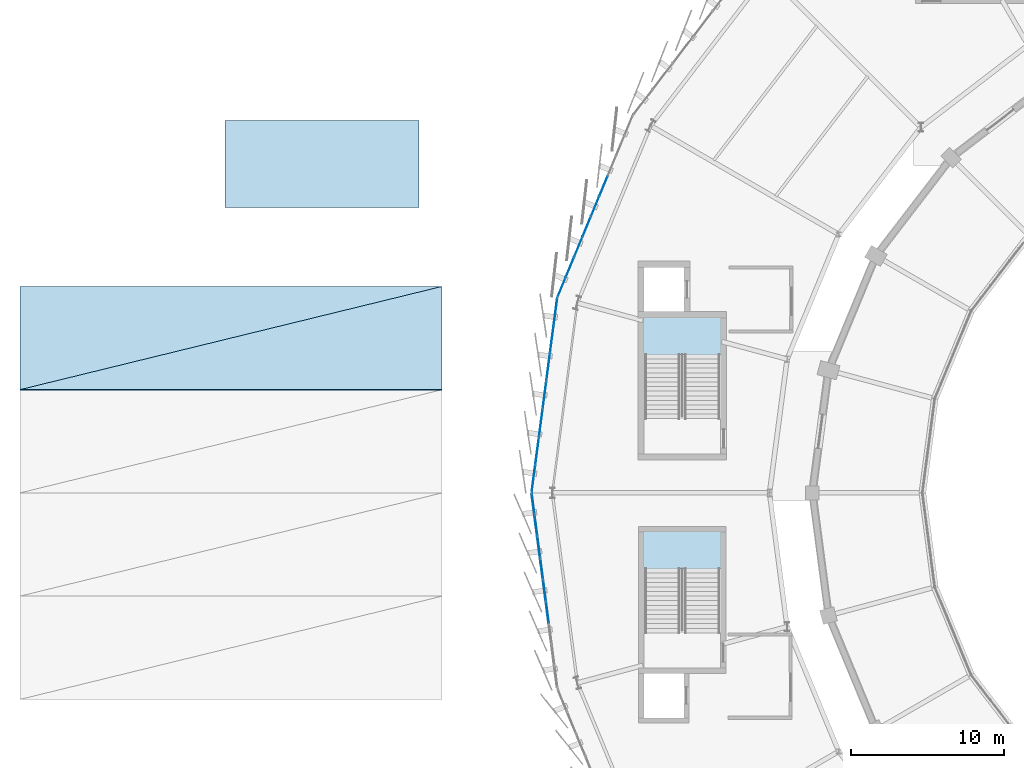
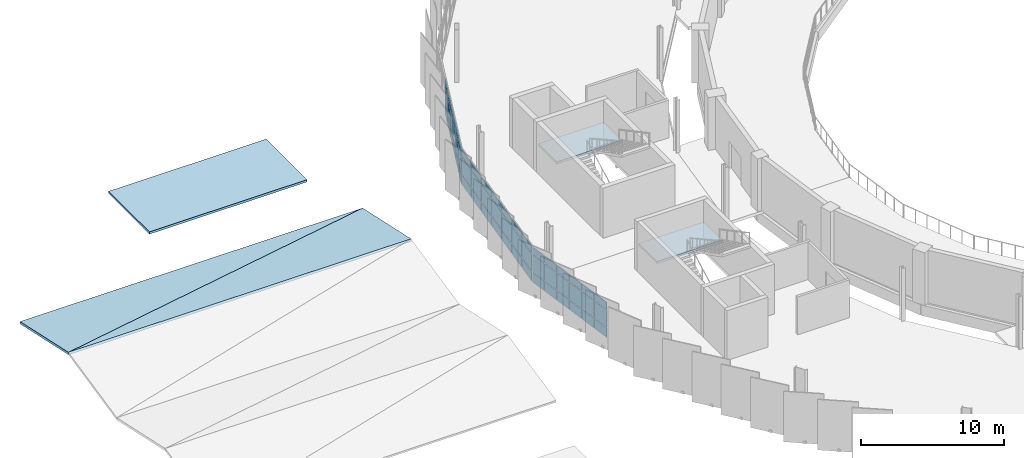
# One storey, part 64 of 87: 57 plates, 5 slabs, 5 elements without a shape of their own.
"""IFC4 building model written with IfcOpenShell, lengths in metres."""

from ifc_helpers import new_model, si_unit, direction, frame, origin, origin_2d, place, context, subcontext, project, spatial, polyline, rectangle, outline, extrude, material, layer, layer_set, type_object, element, aggregate, save


model = new_model("IFC4")

# Units and contexts
model_context = context("Model", 3, precision=1e-05, world=origin(), true_north=direction((0.0, 1.0)))
body_context = subcontext(model_context, "Body", "Model", "MODEL_VIEW")
ifc_project = project(units=[si_unit("LENGTHUNIT", "METRE"), si_unit("AREAUNIT", "SQUARE_METRE"), si_unit("VOLUMEUNIT", "CUBIC_METRE"), si_unit("PLANEANGLEUNIT", "RADIAN"), si_unit("MASSUNIT", "GRAM", prefix="KILO")], contexts=[model_context])

# Site, building, storey
site_placement = place(None, origin())
site = spatial("IfcSite", under=ifc_project, at=site_placement, CompositionType="ELEMENT")
building_placement = place(site_placement, origin())
building = spatial("IfcBuilding", under=site, at=building_placement, Name="Sohan Crest Arena", CompositionType="ELEMENT")
storey_placement = place(building_placement, frame((0.0, 0.0, 18.0)))
storey = spatial("IfcBuildingStorey", under=building, at=storey_placement, Name="L04", CompositionType="ELEMENT", Elevation=18.0)

# Curtain wall, plates
ifc_material_1 = material(Name="Thermally broken anodised aluminium", Category="aluminium")
ifc_layer_1 = layer(ifc_material_1, 0.18994140625, Name="Thermally broken anodised aluminium")
ifc_layer_set_1 = layer_set([ifc_layer_1], Name="Thermally broken anodised aluminium")
curtain_wall_type_1 = type_object("IfcCurtainWallType", Name="ARC-CW05", PredefinedType="NOTDEFINED", material=ifc_layer_set_1)
curtain_wall_1_placement = place(storey_placement, origin())
curtain_wall_1 = element("IfcCurtainWall", 1, at=curtain_wall_1_placement, inside=storey, type_object=curtain_wall_type_1, Name="Unitised curtain wall CW-116", PredefinedType="NOTDEFINED")
ifc_material_2 = material(Name="Low-E double-glazed insulated glass", Category="glass")
ifc_layer_2 = layer(ifc_material_2, 0.028076171875, Name="Low-E double-glazed insulated glass")
ifc_layer_set_2 = layer_set([ifc_layer_2], Name="Low-E double-glazed insulated glass")
plate_type_1 = type_object("IfcPlateType", Name="ARC-CNP01", PredefinedType="CURTAIN_PANEL", material=ifc_layer_set_2)
plate_1_placement = place(storey_placement, frame((53.3447265625, 98.04638671875, 0.06494140625), z_axis=(0.0, 0.0, 1.0), x_axis=(-0.382685432009, -0.923878704229, 0.0)))
plate_1 = element("IfcPlate", 2, at=plate_1_placement, type_object=plate_type_1, Name="CW-116 panel 4.1", PredefinedType="CURTAIN_PANEL", context=body_context, shape_type="SweptSolid", body=[
    extrude(rectangle(XDim=1.371337890625, YDim=0.028076171875, at=origin_2d()), origin(), (0.0, 0.0, 1.0), 0.802490234375),
])
plate_2_placement = place(storey_placement, frame((53.3447265625, 98.04638671875, 0.932373046875), z_axis=(0.0, 0.0, 1.0), x_axis=(-0.382685432009, -0.923878704229, 0.0)))
plate_2 = element("IfcPlate", 3, at=plate_2_placement, type_object=plate_type_1, Name="CW-116 panel 4.2", PredefinedType="CURTAIN_PANEL", context=body_context, shape_type="SweptSolid", body=[
    extrude(rectangle(XDim=1.371337890625, YDim=0.028076171875, at=origin_2d()), origin(), (0.0, 0.0, 1.0), 1.455078125),
])
plate_3_placement = place(storey_placement, frame((53.3447265625, 98.04638671875, 2.452392578125), z_axis=(0.0, 0.0, 1.0), x_axis=(-0.382685432009, -0.923878704229, 0.0)))
plate_3 = element("IfcPlate", 4, at=plate_3_placement, type_object=plate_type_1, Name="CW-116 panel 4.3", PredefinedType="CURTAIN_PANEL", context=body_context, shape_type="SweptSolid", body=[
    extrude(rectangle(XDim=1.371337890625, YDim=0.028076171875, at=origin_2d()), origin(), (0.0, 0.0, 1.0), 0.6025390625),
])
plate_4_placement = place(storey_placement, frame((52.797119140625, 96.72412109375, 0.06494140625), z_axis=(0.0, 0.0, 1.0), x_axis=(-0.382685432009, -0.923878704229, 0.0)))
plate_4 = element("IfcPlate", 5, at=plate_4_placement, type_object=plate_type_1, Name="CW-116 panel 5.1", PredefinedType="CURTAIN_PANEL", context=body_context, shape_type="SweptSolid", body=[
    extrude(rectangle(XDim=1.371337890625, YDim=0.028076171875, at=origin_2d()), origin(), (0.0, 0.0, 1.0), 0.802490234375),
])
plate_5_placement = place(storey_placement, frame((52.797119140625, 96.72412109375, 0.932373046875), z_axis=(0.0, 0.0, 1.0), x_axis=(-0.382685432009, -0.923878704229, 0.0)))
plate_5 = element("IfcPlate", 6, at=plate_5_placement, type_object=plate_type_1, Name="CW-116 panel 5.2", PredefinedType="CURTAIN_PANEL", context=body_context, shape_type="SweptSolid", body=[
    extrude(rectangle(XDim=1.371337890625, YDim=0.028076171875, at=origin_2d()), origin(), (0.0, 0.0, 1.0), 1.455078125),
])
plate_6_placement = place(storey_placement, frame((52.797119140625, 96.72412109375, 2.452392578125), z_axis=(0.0, 0.0, 1.0), x_axis=(-0.382685432009, -0.923878704229, 0.0)))
plate_6 = element("IfcPlate", 7, at=plate_6_placement, type_object=plate_type_1, Name="CW-116 panel 5.3", PredefinedType="CURTAIN_PANEL", context=body_context, shape_type="SweptSolid", body=[
    extrude(rectangle(XDim=1.371337890625, YDim=0.028076171875, at=origin_2d()), origin(), (0.0, 0.0, 1.0), 0.6025390625),
])
plate_7_placement = place(storey_placement, frame((52.249267578125, 95.401611328125, 0.06494140625), z_axis=(0.0, 0.0, 1.0), x_axis=(-0.382685432009, -0.923878704229, 0.0)))
plate_7 = element("IfcPlate", 8, at=plate_7_placement, type_object=plate_type_1, Name="CW-116 panel 6.1", PredefinedType="CURTAIN_PANEL", context=body_context, shape_type="SweptSolid", body=[
    extrude(rectangle(XDim=1.371337890625, YDim=0.028076171875, at=origin_2d()), origin(), (0.0, 0.0, 1.0), 0.802490234375),
])
plate_8_placement = place(storey_placement, frame((52.249267578125, 95.401611328125, 0.932373046875), z_axis=(0.0, 0.0, 1.0), x_axis=(-0.382685432009, -0.923878704229, 0.0)))
plate_8 = element("IfcPlate", 9, at=plate_8_placement, type_object=plate_type_1, Name="CW-116 panel 6.2", PredefinedType="CURTAIN_PANEL", context=body_context, shape_type="SweptSolid", body=[
    extrude(rectangle(XDim=1.371337890625, YDim=0.028076171875, at=origin_2d()), origin(), (0.0, 0.0, 1.0), 1.455078125),
])
plate_9_placement = place(storey_placement, frame((52.249267578125, 95.401611328125, 2.452392578125), z_axis=(0.0, 0.0, 1.0), x_axis=(-0.382685432009, -0.923878704229, 0.0)))
plate_9 = element("IfcPlate", 10, at=plate_9_placement, type_object=plate_type_1, Name="CW-116 panel 6.3", PredefinedType="CURTAIN_PANEL", context=body_context, shape_type="SweptSolid", body=[
    extrude(rectangle(XDim=1.371337890625, YDim=0.028076171875, at=origin_2d()), origin(), (0.0, 0.0, 1.0), 0.6025390625),
])
plate_10_placement = place(storey_placement, frame((51.701416015625, 94.0791015625, 0.06494140625), z_axis=(0.0, 0.0, 1.0), x_axis=(-0.382685432009, -0.923878704229, 0.0)))
plate_10 = element("IfcPlate", 11, at=plate_10_placement, type_object=plate_type_1, Name="CW-116 panel 7.1", PredefinedType="CURTAIN_PANEL", context=body_context, shape_type="SweptSolid", body=[
    extrude(rectangle(XDim=1.371337890625, YDim=0.028076171875, at=origin_2d()), origin(), (0.0, 0.0, 1.0), 0.802490234375),
])
plate_11_placement = place(storey_placement, frame((51.701416015625, 94.0791015625, 0.932373046875), z_axis=(0.0, 0.0, 1.0), x_axis=(-0.382685432009, -0.923878704229, 0.0)))
plate_11 = element("IfcPlate", 12, at=plate_11_placement, type_object=plate_type_1, Name="CW-116 panel 7.2", PredefinedType="CURTAIN_PANEL", context=body_context, shape_type="SweptSolid", body=[
    extrude(rectangle(XDim=1.371337890625, YDim=0.028076171875, at=origin_2d()), origin(), (0.0, 0.0, 1.0), 1.455078125),
])
plate_12_placement = place(storey_placement, frame((51.701416015625, 94.0791015625, 2.452392578125), z_axis=(0.0, 0.0, 1.0), x_axis=(-0.382685432009, -0.923878704229, 0.0)))
plate_12 = element("IfcPlate", 13, at=plate_12_placement, type_object=plate_type_1, Name="CW-116 panel 7.3", PredefinedType="CURTAIN_PANEL", context=body_context, shape_type="SweptSolid", body=[
    extrude(rectangle(XDim=1.371337890625, YDim=0.028076171875, at=origin_2d()), origin(), (0.0, 0.0, 1.0), 0.6025390625),
])
plate_13_placement = place(storey_placement, frame((51.153564453125, 92.756591796875, 0.06494140625), z_axis=(0.0, 0.0, 1.0), x_axis=(-0.382685432009, -0.923878704229, 0.0)))
plate_13 = element("IfcPlate", 14, at=plate_13_placement, type_object=plate_type_1, Name="CW-116 panel 8.1", PredefinedType="CURTAIN_PANEL", context=body_context, shape_type="SweptSolid", body=[
    extrude(rectangle(XDim=1.371337890625, YDim=0.028076171875, at=origin_2d()), origin(), (0.0, 0.0, 1.0), 0.802490234375),
])
plate_14_placement = place(storey_placement, frame((51.153564453125, 92.756591796875, 0.932373046875), z_axis=(0.0, 0.0, 1.0), x_axis=(-0.382685432009, -0.923878704229, 0.0)))
plate_14 = element("IfcPlate", 15, at=plate_14_placement, type_object=plate_type_1, Name="CW-116 panel 8.2", PredefinedType="CURTAIN_PANEL", context=body_context, shape_type="SweptSolid", body=[
    extrude(rectangle(XDim=1.371337890625, YDim=0.028076171875, at=origin_2d()), origin(), (0.0, 0.0, 1.0), 1.455078125),
])
plate_15_placement = place(storey_placement, frame((51.153564453125, 92.756591796875, 2.452392578125), z_axis=(0.0, 0.0, 1.0), x_axis=(-0.382685432009, -0.923878704229, 0.0)))
plate_15 = element("IfcPlate", 16, at=plate_15_placement, type_object=plate_type_1, Name="CW-116 panel 8.3", PredefinedType="CURTAIN_PANEL", context=body_context, shape_type="SweptSolid", body=[
    extrude(rectangle(XDim=1.371337890625, YDim=0.028076171875, at=origin_2d()), origin(), (0.0, 0.0, 1.0), 0.6025390625),
])
plate_16_placement = place(storey_placement, frame((50.611572265625, 91.447998046875, 0.06494140625), z_axis=(0.0, 0.0, 1.0), x_axis=(-0.382685432009, -0.923878704229, 0.0)))
plate_16 = element("IfcPlate", 17, at=plate_16_placement, type_object=plate_type_1, Name="CW-116 panel 9.1", PredefinedType="CURTAIN_PANEL", context=body_context, shape_type="SweptSolid", body=[
    extrude(rectangle(XDim=1.34130859375, YDim=0.028076171875, at=origin_2d()), origin(), (0.0, 0.0, 1.0), 0.802490234375),
])
plate_17_placement = place(storey_placement, frame((50.611572265625, 91.447998046875, 0.932373046875), z_axis=(0.0, 0.0, 1.0), x_axis=(-0.382685432009, -0.923878704229, 0.0)))
plate_17 = element("IfcPlate", 18, at=plate_17_placement, type_object=plate_type_1, Name="CW-116 panel 9.2", PredefinedType="CURTAIN_PANEL", context=body_context, shape_type="SweptSolid", body=[
    extrude(rectangle(XDim=1.34130859375, YDim=0.028076171875, at=origin_2d()), origin(), (0.0, 0.0, 1.0), 1.455078125),
])
plate_18_placement = place(storey_placement, frame((50.611572265625, 91.447998046875, 2.452392578125), z_axis=(0.0, 0.0, 1.0), x_axis=(-0.382685432009, -0.923878704229, 0.0)))
plate_18 = element("IfcPlate", 19, at=plate_18_placement, type_object=plate_type_1, Name="CW-116 panel 9.3", PredefinedType="CURTAIN_PANEL", context=body_context, shape_type="SweptSolid", body=[
    extrude(rectangle(XDim=1.34130859375, YDim=0.028076171875, at=origin_2d()), origin(), (0.0, 0.0, 1.0), 0.6025390625),
])
aggregate(curtain_wall_1, [plate_1, plate_2, plate_3, plate_4, plate_5, plate_6, plate_7, plate_8, plate_9, plate_10, plate_11, plate_12, plate_13, plate_14, plate_15, plate_16, plate_17, plate_18])

ifc_layer_3 = layer(ifc_material_1, 0.2099609375, Name="Thermally broken anodised aluminium")
ifc_layer_set_3 = layer_set([ifc_layer_3], Name="Thermally broken anodised aluminium")
curtain_wall_type_2 = type_object("IfcCurtainWallType", Name="ARC-CW06", PredefinedType="NOTDEFINED", material=ifc_layer_set_3)
curtain_wall_2_placement = place(storey_placement, origin())
curtain_wall_2 = element("IfcCurtainWall", 20, at=curtain_wall_2_placement, inside=storey, type_object=curtain_wall_type_2, Name="Unitised curtain wall CW-117", PredefinedType="NOTDEFINED")
ifc_layer_4 = layer(ifc_material_2, 0.031982421875, Name="Low-E double-glazed insulated glass")
ifc_layer_set_4 = layer_set([ifc_layer_4], Name="Low-E double-glazed insulated glass")
plate_type_2 = type_object("IfcPlateType", Name="ARC-CNP02", PredefinedType="CURTAIN_PANEL", material=ifc_layer_set_4)
plate_19_placement = place(storey_placement, frame((50.209716796875, 89.844482421875, 0.070068359375), z_axis=(0.0, 0.0, 1.0), x_axis=(-0.130556913275, -0.991440816386, 0.0)))
plate_19 = element("IfcPlate", 21, at=plate_19_placement, type_object=plate_type_2, Name="CW-117 panel 1.1", PredefinedType="CURTAIN_PANEL", context=body_context, shape_type="SweptSolid", body=[
    extrude(rectangle(XDim=1.742919921875, YDim=0.031982421875, at=origin_2d()), origin(), (0.0, 0.0, 1.0), 0.794921875),
])
plate_20_placement = place(storey_placement, frame((50.209716796875, 89.844482421875, 0.93505859375), z_axis=(0.0, 0.0, 1.0), x_axis=(-0.130556913275, -0.991440816386, 0.0)))
plate_20 = element("IfcPlate", 22, at=plate_20_placement, type_object=plate_type_2, Name="CW-117 panel 1.2", PredefinedType="CURTAIN_PANEL", context=body_context, shape_type="SweptSolid", body=[
    extrude(rectangle(XDim=1.742919921875, YDim=0.031982421875, at=origin_2d()), origin(), (0.0, 0.0, 1.0), 1.449951171875),
])
plate_21_placement = place(storey_placement, frame((50.209716796875, 89.844482421875, 2.455078125), z_axis=(0.0, 0.0, 1.0), x_axis=(-0.130556913275, -0.991440816386, 0.0)))
plate_21 = element("IfcPlate", 23, at=plate_21_placement, type_object=plate_type_2, Name="CW-117 panel 1.3", PredefinedType="CURTAIN_PANEL", context=body_context, shape_type="SweptSolid", body=[
    extrude(rectangle(XDim=1.742919921875, YDim=0.031982421875, at=origin_2d()), origin(), (0.0, 0.0, 1.0), 0.594970703125),
])
plate_22_placement = place(storey_placement, frame((49.9716796875, 88.035888671875, 0.070068359375), z_axis=(0.0, 0.0, 1.0), x_axis=(-0.130556913275, -0.991440816386, 0.0)))
plate_22 = element("IfcPlate", 24, at=plate_22_placement, type_object=plate_type_2, Name="CW-117 panel 2.1", PredefinedType="CURTAIN_PANEL", context=body_context, shape_type="SweptSolid", body=[
    extrude(rectangle(XDim=1.775390625, YDim=0.031982421875, at=origin_2d()), origin(), (0.0, 0.0, 1.0), 0.794921875),
])
plate_23_placement = place(storey_placement, frame((49.9716796875, 88.035888671875, 0.93505859375), z_axis=(0.0, 0.0, 1.0), x_axis=(-0.130556913275, -0.991440816386, 0.0)))
plate_23 = element("IfcPlate", 25, at=plate_23_placement, type_object=plate_type_2, Name="CW-117 panel 2.2", PredefinedType="CURTAIN_PANEL", context=body_context, shape_type="SweptSolid", body=[
    extrude(rectangle(XDim=1.775390625, YDim=0.031982421875, at=origin_2d()), origin(), (0.0, 0.0, 1.0), 1.449951171875),
])
plate_24_placement = place(storey_placement, frame((49.9716796875, 88.035888671875, 2.455078125), z_axis=(0.0, 0.0, 1.0), x_axis=(-0.130556913275, -0.991440816386, 0.0)))
plate_24 = element("IfcPlate", 26, at=plate_24_placement, type_object=plate_type_2, Name="CW-117 panel 2.3", PredefinedType="CURTAIN_PANEL", context=body_context, shape_type="SweptSolid", body=[
    extrude(rectangle(XDim=1.775390625, YDim=0.031982421875, at=origin_2d()), origin(), (0.0, 0.0, 1.0), 0.594970703125),
])
plate_25_placement = place(storey_placement, frame((49.731201171875, 86.211181640625, 0.070068359375), z_axis=(0.0, 0.0, 1.0), x_axis=(-0.130556913275, -0.991440816386, 0.0)))
plate_25 = element("IfcPlate", 27, at=plate_25_placement, type_object=plate_type_2, Name="CW-117 panel 3.1", PredefinedType="CURTAIN_PANEL", context=body_context, shape_type="SweptSolid", body=[
    extrude(rectangle(XDim=1.775390625, YDim=0.031982421875, at=origin_2d()), origin(), (0.0, 0.0, 1.0), 0.794921875),
])
plate_26_placement = place(storey_placement, frame((49.731201171875, 86.211181640625, 0.93505859375), z_axis=(0.0, 0.0, 1.0), x_axis=(-0.130556913275, -0.991440816386, 0.0)))
plate_26 = element("IfcPlate", 28, at=plate_26_placement, type_object=plate_type_2, Name="CW-117 panel 3.2", PredefinedType="CURTAIN_PANEL", context=body_context, shape_type="SweptSolid", body=[
    extrude(rectangle(XDim=1.775390625, YDim=0.031982421875, at=origin_2d()), origin(), (0.0, 0.0, 1.0), 1.449951171875),
])
plate_27_placement = place(storey_placement, frame((49.731201171875, 86.211181640625, 2.455078125), z_axis=(0.0, 0.0, 1.0), x_axis=(-0.130556913275, -0.991440816386, 0.0)))
plate_27 = element("IfcPlate", 29, at=plate_27_placement, type_object=plate_type_2, Name="CW-117 panel 3.3", PredefinedType="CURTAIN_PANEL", context=body_context, shape_type="SweptSolid", body=[
    extrude(rectangle(XDim=1.775390625, YDim=0.031982421875, at=origin_2d()), origin(), (0.0, 0.0, 1.0), 0.594970703125),
])
plate_28_placement = place(storey_placement, frame((49.490966796875, 84.386474609375, 0.070068359375), z_axis=(0.0, 0.0, 1.0), x_axis=(-0.130556913275, -0.991440816386, 0.0)))
plate_28 = element("IfcPlate", 30, at=plate_28_placement, type_object=plate_type_2, Name="CW-117 panel 4.1", PredefinedType="CURTAIN_PANEL", context=body_context, shape_type="SweptSolid", body=[
    extrude(rectangle(XDim=1.775390625, YDim=0.031982421875, at=origin_2d()), origin(), (0.0, 0.0, 1.0), 0.794921875),
])
plate_29_placement = place(storey_placement, frame((49.490966796875, 84.386474609375, 0.93505859375), z_axis=(0.0, 0.0, 1.0), x_axis=(-0.130556913275, -0.991440816386, 0.0)))
plate_29 = element("IfcPlate", 31, at=plate_29_placement, type_object=plate_type_2, Name="CW-117 panel 4.2", PredefinedType="CURTAIN_PANEL", context=body_context, shape_type="SweptSolid", body=[
    extrude(rectangle(XDim=1.775390625, YDim=0.031982421875, at=origin_2d()), origin(), (0.0, 0.0, 1.0), 1.449951171875),
])
plate_30_placement = place(storey_placement, frame((49.490966796875, 84.386474609375, 2.455078125), z_axis=(0.0, 0.0, 1.0), x_axis=(-0.130556913275, -0.991440816386, 0.0)))
plate_30 = element("IfcPlate", 32, at=plate_30_placement, type_object=plate_type_2, Name="CW-117 panel 4.3", PredefinedType="CURTAIN_PANEL", context=body_context, shape_type="SweptSolid", body=[
    extrude(rectangle(XDim=1.775390625, YDim=0.031982421875, at=origin_2d()), origin(), (0.0, 0.0, 1.0), 0.594970703125),
])
plate_31_placement = place(storey_placement, frame((49.250732421875, 82.561767578125, 0.070068359375), z_axis=(0.0, 0.0, 1.0), x_axis=(-0.130556913275, -0.991440816386, 0.0)))
plate_31 = element("IfcPlate", 33, at=plate_31_placement, type_object=plate_type_2, Name="CW-117 panel 5.1", PredefinedType="CURTAIN_PANEL", context=body_context, shape_type="SweptSolid", body=[
    extrude(rectangle(XDim=1.775390625, YDim=0.031982421875, at=origin_2d()), origin(), (0.0, 0.0, 1.0), 0.794921875),
])
plate_32_placement = place(storey_placement, frame((49.250732421875, 82.561767578125, 0.93505859375), z_axis=(0.0, 0.0, 1.0), x_axis=(-0.130556913275, -0.991440816386, 0.0)))
plate_32 = element("IfcPlate", 34, at=plate_32_placement, type_object=plate_type_2, Name="CW-117 panel 5.2", PredefinedType="CURTAIN_PANEL", context=body_context, shape_type="SweptSolid", body=[
    extrude(rectangle(XDim=1.775390625, YDim=0.031982421875, at=origin_2d()), origin(), (0.0, 0.0, 1.0), 1.449951171875),
])
plate_33_placement = place(storey_placement, frame((49.250732421875, 82.561767578125, 2.455078125), z_axis=(0.0, 0.0, 1.0), x_axis=(-0.130556913275, -0.991440816386, 0.0)))
plate_33 = element("IfcPlate", 35, at=plate_33_placement, type_object=plate_type_2, Name="CW-117 panel 5.3", PredefinedType="CURTAIN_PANEL", context=body_context, shape_type="SweptSolid", body=[
    extrude(rectangle(XDim=1.775390625, YDim=0.031982421875, at=origin_2d()), origin(), (0.0, 0.0, 1.0), 0.594970703125),
])
plate_34_placement = place(storey_placement, frame((49.010498046875, 80.737060546875, 0.070068359375), z_axis=(0.0, 0.0, 1.0), x_axis=(-0.130556913275, -0.991440816386, 0.0)))
plate_34 = element("IfcPlate", 36, at=plate_34_placement, type_object=plate_type_2, Name="CW-117 panel 6.1", PredefinedType="CURTAIN_PANEL", context=body_context, shape_type="SweptSolid", body=[
    extrude(rectangle(XDim=1.775390625, YDim=0.031982421875, at=origin_2d()), origin(), (0.0, 0.0, 1.0), 0.794921875),
])
plate_35_placement = place(storey_placement, frame((49.010498046875, 80.737060546875, 0.93505859375), z_axis=(0.0, 0.0, 1.0), x_axis=(-0.130556913275, -0.991440816386, 0.0)))
plate_35 = element("IfcPlate", 37, at=plate_35_placement, type_object=plate_type_2, Name="CW-117 panel 6.2", PredefinedType="CURTAIN_PANEL", context=body_context, shape_type="SweptSolid", body=[
    extrude(rectangle(XDim=1.775390625, YDim=0.031982421875, at=origin_2d()), origin(), (0.0, 0.0, 1.0), 1.449951171875),
])
plate_36_placement = place(storey_placement, frame((49.010498046875, 80.737060546875, 2.455078125), z_axis=(0.0, 0.0, 1.0), x_axis=(-0.130556913275, -0.991440816386, 0.0)))
plate_36 = element("IfcPlate", 38, at=plate_36_placement, type_object=plate_type_2, Name="CW-117 panel 6.3", PredefinedType="CURTAIN_PANEL", context=body_context, shape_type="SweptSolid", body=[
    extrude(rectangle(XDim=1.775390625, YDim=0.031982421875, at=origin_2d()), origin(), (0.0, 0.0, 1.0), 0.594970703125),
])
plate_37_placement = place(storey_placement, frame((48.772216796875, 78.928466796875, 0.070068359375), z_axis=(0.0, 0.0, 1.0), x_axis=(-0.130556913275, -0.991440816386, 0.0)))
plate_37 = element("IfcPlate", 39, at=plate_37_placement, type_object=plate_type_2, Name="CW-117 panel 7.1", PredefinedType="CURTAIN_PANEL", context=body_context, shape_type="SweptSolid", body=[
    extrude(rectangle(XDim=1.742919921875, YDim=0.031982421875, at=origin_2d()), origin(), (0.0, 0.0, 1.0), 0.794921875),
])
plate_38_placement = place(storey_placement, frame((48.772216796875, 78.928466796875, 0.93505859375), z_axis=(0.0, 0.0, 1.0), x_axis=(-0.130556913275, -0.991440816386, 0.0)))
plate_38 = element("IfcPlate", 40, at=plate_38_placement, type_object=plate_type_2, Name="CW-117 panel 7.2", PredefinedType="CURTAIN_PANEL", context=body_context, shape_type="SweptSolid", body=[
    extrude(rectangle(XDim=1.742919921875, YDim=0.031982421875, at=origin_2d()), origin(), (0.0, 0.0, 1.0), 1.449951171875),
])
plate_39_placement = place(storey_placement, frame((48.772216796875, 78.928466796875, 2.455078125), z_axis=(0.0, 0.0, 1.0), x_axis=(-0.130556913275, -0.991440816386, 0.0)))
plate_39 = element("IfcPlate", 41, at=plate_39_placement, type_object=plate_type_2, Name="CW-117 panel 7.3", PredefinedType="CURTAIN_PANEL", context=body_context, shape_type="SweptSolid", body=[
    extrude(rectangle(XDim=1.742919921875, YDim=0.031982421875, at=origin_2d()), origin(), (0.0, 0.0, 1.0), 0.594970703125),
])
aggregate(curtain_wall_2, [plate_19, plate_20, plate_21, plate_22, plate_23, plate_24, plate_25, plate_26, plate_27, plate_28, plate_29, plate_30, plate_31, plate_32, plate_33, plate_34, plate_35, plate_36, plate_37, plate_38, plate_39])

ifc_layer_5 = layer(ifc_material_1, 0.179931640625, Name="Thermally broken anodised aluminium")
ifc_layer_set_5 = layer_set([ifc_layer_5], Name="Thermally broken anodised aluminium")
curtain_wall_type_3 = type_object("IfcCurtainWallType", Name="ARC-CW01", PredefinedType="NOTDEFINED", material=ifc_layer_set_5)
curtain_wall_3_placement = place(storey_placement, origin())
curtain_wall_3 = element("IfcCurtainWall", 42, at=curtain_wall_3_placement, inside=storey, type_object=curtain_wall_type_3, Name="Unitised curtain wall CW-118", PredefinedType="NOTDEFINED")
ifc_material_3 = material(Name="Ceramic-fritted solar-control insulated glass", Category="glass")
ifc_layer_6 = layer(ifc_material_3, 0.035888671875, Name="Ceramic-fritted solar-control insulated glass")
ifc_layer_set_6 = layer_set([ifc_layer_6], Name="Ceramic-fritted solar-control insulated glass")
plate_type_3 = type_object("IfcPlateType", Name="ARC-CNP03", PredefinedType="CURTAIN_PANEL", material=ifc_layer_set_6)
plate_40_placement = place(storey_placement, frame((48.745849609375, 77.27294921875, 0.06005859375), z_axis=(0.0, 0.0, 1.0), x_axis=(0.130556913275, -0.991440816386, 0.0)))
plate_40 = element("IfcPlate", 43, at=plate_40_placement, type_object=plate_type_3, Name="CW-118 panel 1.1", PredefinedType="CURTAIN_PANEL", context=body_context, shape_type="SweptSolid", body=[
    extrude(rectangle(XDim=1.326416015625, YDim=0.035888671875, at=origin_2d()), origin(), (0.0, 0.0, 1.0), 0.81005859375),
])
plate_41_placement = place(storey_placement, frame((48.745849609375, 77.27294921875, 0.929931640625), z_axis=(0.0, 0.0, 1.0), x_axis=(0.130556913275, -0.991440816386, 0.0)))
plate_41 = element("IfcPlate", 44, at=plate_41_placement, type_object=plate_type_3, Name="CW-118 panel 1.2", PredefinedType="CURTAIN_PANEL", context=body_context, shape_type="SweptSolid", body=[
    extrude(rectangle(XDim=1.326416015625, YDim=0.035888671875, at=origin_2d()), origin(), (0.0, 0.0, 1.0), 1.4599609375),
])
plate_42_placement = place(storey_placement, frame((48.745849609375, 77.27294921875, 2.44970703125), z_axis=(0.0, 0.0, 1.0), x_axis=(0.130556913275, -0.991440816386, 0.0)))
plate_42 = element("IfcPlate", 45, at=plate_42_placement, type_object=plate_type_3, Name="CW-118 panel 1.3", PredefinedType="CURTAIN_PANEL", context=body_context, shape_type="SweptSolid", body=[
    extrude(rectangle(XDim=1.326416015625, YDim=0.035888671875, at=origin_2d()), origin(), (0.0, 0.0, 1.0), 0.610107421875),
])
plate_43_placement = place(storey_placement, frame((48.930419921875, 75.87109375, 0.06005859375), z_axis=(0.0, 0.0, 1.0), x_axis=(0.130556913275, -0.991440816386, 0.0)))
plate_43 = element("IfcPlate", 46, at=plate_43_placement, type_object=plate_type_3, Name="CW-118 panel 2.1", PredefinedType="CURTAIN_PANEL", context=body_context, shape_type="SweptSolid", body=[
    extrude(rectangle(XDim=1.361572265625, YDim=0.035888671875, at=origin_2d()), origin(), (0.0, 0.0, 1.0), 0.81005859375),
])
plate_44_placement = place(storey_placement, frame((48.930419921875, 75.87109375, 0.929931640625), z_axis=(0.0, 0.0, 1.0), x_axis=(0.130556913275, -0.991440816386, 0.0)))
plate_44 = element("IfcPlate", 47, at=plate_44_placement, type_object=plate_type_3, Name="CW-118 panel 2.2", PredefinedType="CURTAIN_PANEL", context=body_context, shape_type="SweptSolid", body=[
    extrude(rectangle(XDim=1.361572265625, YDim=0.035888671875, at=origin_2d()), origin(), (0.0, 0.0, 1.0), 1.4599609375),
])
plate_45_placement = place(storey_placement, frame((48.930419921875, 75.87109375, 2.44970703125), z_axis=(0.0, 0.0, 1.0), x_axis=(0.130556913275, -0.991440816386, 0.0)))
plate_45 = element("IfcPlate", 48, at=plate_45_placement, type_object=plate_type_3, Name="CW-118 panel 2.3", PredefinedType="CURTAIN_PANEL", context=body_context, shape_type="SweptSolid", body=[
    extrude(rectangle(XDim=1.361572265625, YDim=0.035888671875, at=origin_2d()), origin(), (0.0, 0.0, 1.0), 0.610107421875),
])
plate_46_placement = place(storey_placement, frame((49.1171875, 74.451904296875, 0.06005859375), z_axis=(0.0, 0.0, 1.0), x_axis=(0.130556913275, -0.991440816386, 0.0)))
plate_46 = element("IfcPlate", 49, at=plate_46_placement, type_object=plate_type_3, Name="CW-118 panel 3.1", PredefinedType="CURTAIN_PANEL", context=body_context, shape_type="SweptSolid", body=[
    extrude(rectangle(XDim=1.361572265625, YDim=0.035888671875, at=origin_2d()), origin(), (0.0, 0.0, 1.0), 0.81005859375),
])
plate_47_placement = place(storey_placement, frame((49.1171875, 74.451904296875, 0.929931640625), z_axis=(0.0, 0.0, 1.0), x_axis=(0.130556913275, -0.991440816386, 0.0)))
plate_47 = element("IfcPlate", 50, at=plate_47_placement, type_object=plate_type_3, Name="CW-118 panel 3.2", PredefinedType="CURTAIN_PANEL", context=body_context, shape_type="SweptSolid", body=[
    extrude(rectangle(XDim=1.361572265625, YDim=0.035888671875, at=origin_2d()), origin(), (0.0, 0.0, 1.0), 1.4599609375),
])
plate_48_placement = place(storey_placement, frame((49.1171875, 74.451904296875, 2.44970703125), z_axis=(0.0, 0.0, 1.0), x_axis=(0.130556913275, -0.991440816386, 0.0)))
plate_48 = element("IfcPlate", 51, at=plate_48_placement, type_object=plate_type_3, Name="CW-118 panel 3.3", PredefinedType="CURTAIN_PANEL", context=body_context, shape_type="SweptSolid", body=[
    extrude(rectangle(XDim=1.361572265625, YDim=0.035888671875, at=origin_2d()), origin(), (0.0, 0.0, 1.0), 0.610107421875),
])
plate_49_placement = place(storey_placement, frame((49.30419921875, 73.03271484375, 0.06005859375), z_axis=(0.0, 0.0, 1.0), x_axis=(0.130556913275, -0.991440816386, 0.0)))
plate_49 = element("IfcPlate", 52, at=plate_49_placement, type_object=plate_type_3, Name="CW-118 panel 4.1", PredefinedType="CURTAIN_PANEL", context=body_context, shape_type="SweptSolid", body=[
    extrude(rectangle(XDim=1.361572265625, YDim=0.035888671875, at=origin_2d()), origin(), (0.0, 0.0, 1.0), 0.81005859375),
])
plate_50_placement = place(storey_placement, frame((49.30419921875, 73.03271484375, 0.929931640625), z_axis=(0.0, 0.0, 1.0), x_axis=(0.130556913275, -0.991440816386, 0.0)))
plate_50 = element("IfcPlate", 53, at=plate_50_placement, type_object=plate_type_3, Name="CW-118 panel 4.2", PredefinedType="CURTAIN_PANEL", context=body_context, shape_type="SweptSolid", body=[
    extrude(rectangle(XDim=1.361572265625, YDim=0.035888671875, at=origin_2d()), origin(), (0.0, 0.0, 1.0), 1.4599609375),
])
plate_51_placement = place(storey_placement, frame((49.30419921875, 73.03271484375, 2.44970703125), z_axis=(0.0, 0.0, 1.0), x_axis=(0.130556913275, -0.991440816386, 0.0)))
plate_51 = element("IfcPlate", 54, at=plate_51_placement, type_object=plate_type_3, Name="CW-118 panel 4.3", PredefinedType="CURTAIN_PANEL", context=body_context, shape_type="SweptSolid", body=[
    extrude(rectangle(XDim=1.361572265625, YDim=0.035888671875, at=origin_2d()), origin(), (0.0, 0.0, 1.0), 0.610107421875),
])
plate_52_placement = place(storey_placement, frame((49.490966796875, 71.613525390625, 0.06005859375), z_axis=(0.0, 0.0, 1.0), x_axis=(0.130556913275, -0.991440816386, 0.0)))
plate_52 = element("IfcPlate", 55, at=plate_52_placement, type_object=plate_type_3, Name="CW-118 panel 5.1", PredefinedType="CURTAIN_PANEL", context=body_context, shape_type="SweptSolid", body=[
    extrude(rectangle(XDim=1.361572265625, YDim=0.035888671875, at=origin_2d()), origin(), (0.0, 0.0, 1.0), 0.81005859375),
])
plate_53_placement = place(storey_placement, frame((49.490966796875, 71.613525390625, 0.929931640625), z_axis=(0.0, 0.0, 1.0), x_axis=(0.130556913275, -0.991440816386, 0.0)))
plate_53 = element("IfcPlate", 56, at=plate_53_placement, type_object=plate_type_3, Name="CW-118 panel 5.2", PredefinedType="CURTAIN_PANEL", context=body_context, shape_type="SweptSolid", body=[
    extrude(rectangle(XDim=1.361572265625, YDim=0.035888671875, at=origin_2d()), origin(), (0.0, 0.0, 1.0), 1.4599609375),
])
plate_54_placement = place(storey_placement, frame((49.490966796875, 71.613525390625, 2.44970703125), z_axis=(0.0, 0.0, 1.0), x_axis=(0.130556913275, -0.991440816386, 0.0)))
plate_54 = element("IfcPlate", 57, at=plate_54_placement, type_object=plate_type_3, Name="CW-118 panel 5.3", PredefinedType="CURTAIN_PANEL", context=body_context, shape_type="SweptSolid", body=[
    extrude(rectangle(XDim=1.361572265625, YDim=0.035888671875, at=origin_2d()), origin(), (0.0, 0.0, 1.0), 0.610107421875),
])
plate_55_placement = place(storey_placement, frame((49.677978515625, 70.1943359375, 0.06005859375), z_axis=(0.0, 0.0, 1.0), x_axis=(0.130556913275, -0.991440816386, 0.0)))
plate_55 = element("IfcPlate", 58, at=plate_55_placement, type_object=plate_type_3, Name="CW-118 panel 6.1", PredefinedType="CURTAIN_PANEL", context=body_context, shape_type="SweptSolid", body=[
    extrude(rectangle(XDim=1.361572265625, YDim=0.035888671875, at=origin_2d()), origin(), (0.0, 0.0, 1.0), 0.81005859375),
])
plate_56_placement = place(storey_placement, frame((49.677978515625, 70.1943359375, 0.929931640625), z_axis=(0.0, 0.0, 1.0), x_axis=(0.130556913275, -0.991440816386, 0.0)))
plate_56 = element("IfcPlate", 59, at=plate_56_placement, type_object=plate_type_3, Name="CW-118 panel 6.2", PredefinedType="CURTAIN_PANEL", context=body_context, shape_type="SweptSolid", body=[
    extrude(rectangle(XDim=1.361572265625, YDim=0.035888671875, at=origin_2d()), origin(), (0.0, 0.0, 1.0), 1.4599609375),
])
plate_57_placement = place(storey_placement, frame((49.677978515625, 70.1943359375, 2.44970703125), z_axis=(0.0, 0.0, 1.0), x_axis=(0.130556913275, -0.991440816386, 0.0)))
plate_57 = element("IfcPlate", 60, at=plate_57_placement, type_object=plate_type_3, Name="CW-118 panel 6.3", PredefinedType="CURTAIN_PANEL", context=body_context, shape_type="SweptSolid", body=[
    extrude(rectangle(XDim=1.361572265625, YDim=0.035888671875, at=origin_2d()), origin(), (0.0, 0.0, 1.0), 0.610107421875),
])
aggregate(curtain_wall_3, [plate_40, plate_41, plate_42, plate_43, plate_44, plate_45, plate_46, plate_47, plate_48, plate_49, plate_50, plate_51, plate_52, plate_53, plate_54, plate_55, plate_56, plate_57])

# Stair, slab
ifc_material_4 = material(Name="Concrete C40/50", Category="concrete")
stair_type = type_object("IfcStairType", Name="ST-450", PredefinedType="TWO_STRAIGHT_RUN_STAIR", material=ifc_material_4)
stair_1_placement = place(storey_placement, origin())
stair_1 = element("IfcStair", 61, at=stair_1_placement, inside=storey, type_object=stair_type, Name="Protected exit stair ST01-L04", PredefinedType="TWO_STRAIGHT_RUN_STAIR")
ifc_layer_7 = layer(ifc_material_4, 0.199951171875, Name="Concrete C40/50")
ifc_layer_set_7 = layer_set([ifc_layer_7], Name="Concrete C40/50")
slab_type_1 = type_object("IfcSlabType", Name="SL-LND1", PredefinedType="LANDING", material=ifc_layer_set_7)
slab_1_placement = place(storey_placement, frame((0.0, 0.0, 2.050048828125)))
slab_1 = element("IfcSlab", 62, at=slab_1_placement, type_object=slab_type_1, Name="ST01-L04 landing 1", PredefinedType="LANDING", context=body_context, shape_type="SweptSolid", body=[
    extrude(outline(polyline([(55.85009765625, 73.030029296875), (61.14990234375, 73.030029296875), (61.14990234375, 75.60009765625), (55.85009765625, 75.60009765625), (55.85009765625, 73.030029296875)])), origin(), (0.0, 0.0, 1.0), 0.199951171875),
])
aggregate(stair_1, [slab_1])

stair_2_placement = place(storey_placement, origin())
stair_2 = element("IfcStair", 63, at=stair_2_placement, inside=storey, type_object=stair_type, Name="Protected exit stair ST02-L04", PredefinedType="TWO_STRAIGHT_RUN_STAIR")
slab_2_placement = place(storey_placement, frame((0.0, 0.0, 2.050048828125)))
slab_2 = element("IfcSlab", 64, at=slab_2_placement, type_object=slab_type_1, Name="ST02-L04 landing 1", PredefinedType="LANDING", context=body_context, shape_type="SweptSolid", body=[
    extrude(outline(polyline([(55.85009765625, 87.030029296875), (61.14990234375, 87.030029296875), (61.14990234375, 89.60009765625), (55.85009765625, 89.60009765625), (55.85009765625, 87.030029296875)])), origin(), (0.0, 0.0, 1.0), 0.199951171875),
])
aggregate(stair_2, [slab_2])

# Slabs
ifc_layer_8 = layer(ifc_material_4, 0.195068359375, Name="Concrete C40/50")
ifc_layer_set_8 = layer_set([ifc_layer_8], Name="Concrete C40/50")
slab_type_2 = type_object("IfcSlabType", Name="SL-RF02", PredefinedType="ROOF", material=ifc_layer_set_8)
slab_3_placement = place(storey_placement, frame((0.0, 0.0, -0.195068359375)))
element("IfcSlab", 65, at=slab_3_placement, inside=storey, type_object=slab_type_2, Name="Stair head-house roof C14", PredefinedType="ROOF", context=body_context, shape_type="SweptSolid", body=[
    extrude(outline(polyline([(28.60009765625, 96.64990234375), (41.300048828125, 96.64990234375), (41.300048828125, 102.35009765625), (28.60009765625, 102.35009765625), (28.60009765625, 96.64990234375)])), origin(), (0.0, 0.0, 1.0), 0.195068359375),
])
slab_4_placement = place(storey_placement, frame((15.199951171875, 84.75, 1.64990234375), z_axis=(0.0, 0.212786162672, 0.97709879182), x_axis=(1.0, 0.0, 0.0)))
element("IfcSlab", 66, at=slab_4_placement, inside=storey, type_object=slab_type_2, Name="Pavilion Catalan vault slab RF-V3-PAV4A", PredefinedType="ROOF", context=body_context, shape_type="SweptSolid", body=[
    extrude(outline(polyline([(0.0, 0.0), (27.60009765625, 0.0), (27.60009765625, 6.908206269940541), (0.0, 0.0)])), origin(), (0.0, 0.0, -1.0), 0.195068359375),
])
slab_5_placement = place(storey_placement, frame((15.199951171875, 84.75, 1.64990234375), z_axis=(0.0, 0.212786162672, 0.97709879182), x_axis=(0.970074798417, 0.237245714521, -0.051665814783)))
element("IfcSlab", 67, at=slab_5_placement, inside=storey, type_object=slab_type_2, Name="Pavilion Catalan vault slab RF-V3-PAV4B", PredefinedType="ROOF", context=body_context, shape_type="SweptSolid", body=[
    extrude(outline(polyline([(0.0, 0.0), (28.451514977283416, 8.881784197001252e-16), (1.677355807103755, 6.701476804736483), (0.0, 0.0)])), origin(), (0.0, 0.0, -1.0), 0.195068359375),
])

save(model, "model.ifc")
